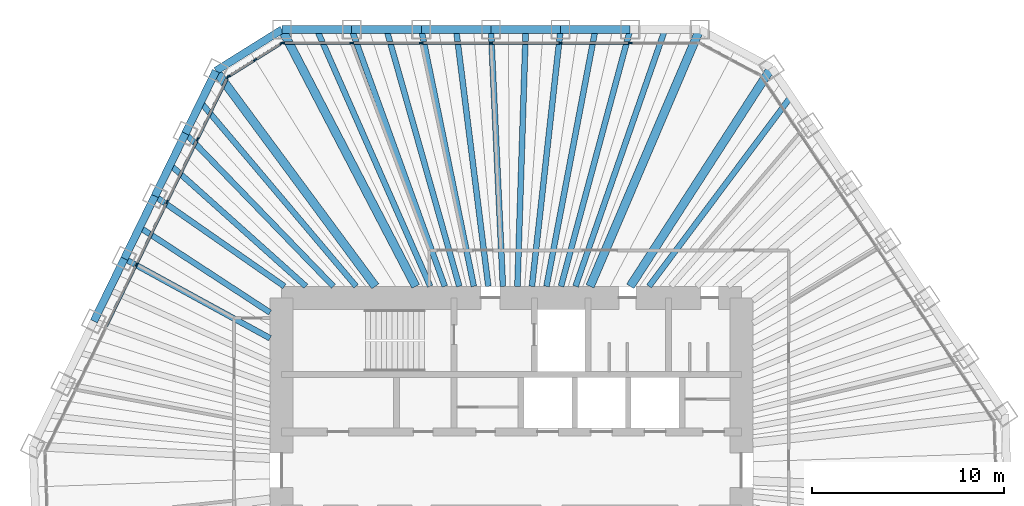
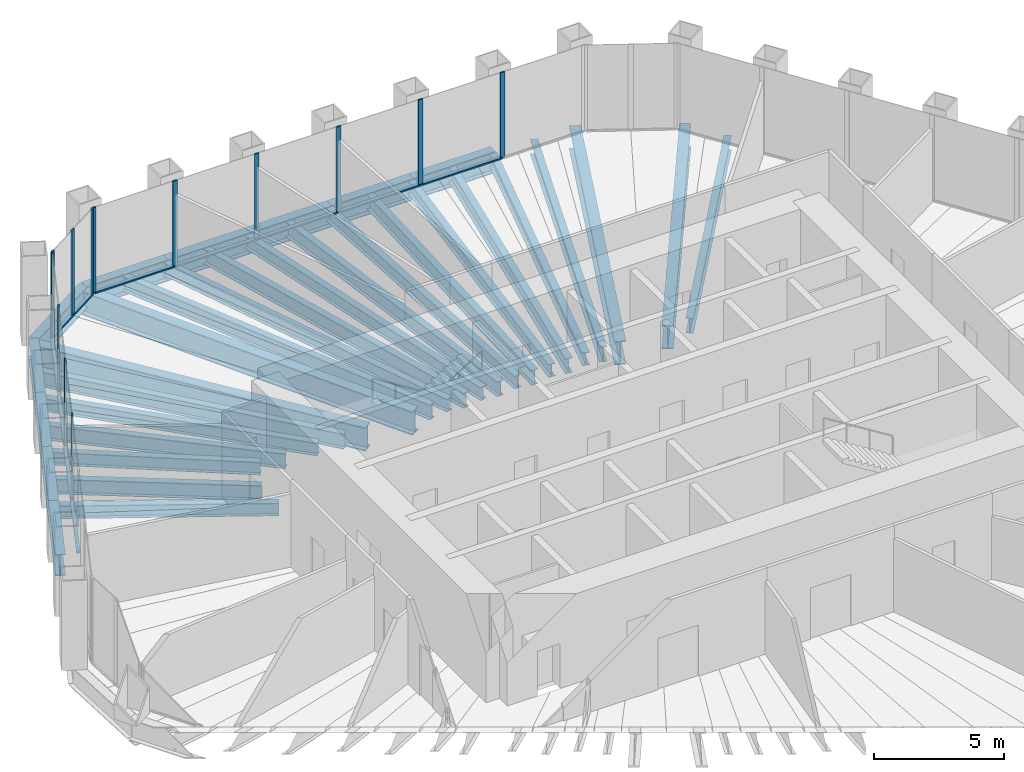
# One storey, part 6 of 14: 32 beams, 24 members, 3 elements without a shape of their own.
"""IFC4 building model written with IfcOpenShell, lengths in metres."""

from ifc_helpers import new_model, si_unit, direction, frame, origin, origin_2d, place, context, subcontext, project, spatial, rectangle, i_section, extrude, material, material_profile, profile_set, type_object, element, aggregate, save


model = new_model("IFC4")

# Units and contexts
model_context = context("Model", 3, precision=1e-05, world=origin(), true_north=direction((0.0, 1.0)))
body_context = subcontext(model_context, "Body", "Model", "MODEL_VIEW")
ifc_project = project(units=[si_unit("LENGTHUNIT", "METRE"), si_unit("AREAUNIT", "SQUARE_METRE"), si_unit("VOLUMEUNIT", "CUBIC_METRE"), si_unit("PLANEANGLEUNIT", "RADIAN"), si_unit("MASSUNIT", "GRAM", prefix="KILO")], contexts=[model_context])

# Site, building, storey
site_placement = place(None, origin())
site = spatial("IfcSite", under=ifc_project, at=site_placement, CompositionType="ELEMENT")
building_placement = place(site_placement, origin())
building = spatial("IfcBuilding", under=site, at=building_placement, Name="Qingtian Harvest Tower", CompositionType="ELEMENT")
storey_placement = place(building_placement, frame((0.0, 0.0, 235.0)))
storey = spatial("IfcBuildingStorey", under=building, at=storey_placement, Name="L51", CompositionType="ELEMENT", Elevation=235.0)

# Beams
ifc_material_1 = material(Name="Steel SM570MC", Category="steel")
ifc_material_profile_1 = material_profile(ifc_material_1, i_section(OverallWidth=0.449951171875, OverallDepth=1.10009765625, WebThickness=0.02197265625, FlangeThickness=0.044921875, at=origin_2d()), Name="H1100x450x22x45")
ifc_profile_set_1 = profile_set([ifc_material_profile_1], Name="Steel SM570MC")
beam_type_1 = type_object("IfcBeamType", Name="Corner floor beam FB8 H1100x450x22x45", PredefinedType="BEAM", material=ifc_profile_set_1)
beam_1_placement = place(storey_placement, frame((-11.971923828125, 23.0, -0.719970703125), z_axis=(0.461712460868, -0.887029651973, 0.0), x_axis=(0.887029651973, 0.461712460868, 0.0)))
element("IfcBeam", 1, at=beam_1_placement, inside=storey, type_object=beam_type_1, Name="Floor beam FB8 N0", PredefinedType="BEAM", context=body_context, shape_type="SweptSolid", body=[
    extrude(i_section(OverallWidth=0.449951171875, OverallDepth=1.10009765625, WebThickness=0.02197265625, FlangeThickness=0.044921875, at=origin_2d()), origin(), (0.0, 0.0, 1.0), 15.1064453125),
])
beam_2_placement = place(storey_placement, frame((9.829345703125, 23.0, -0.719970703125), z_axis=(-0.392976835482, -0.91954837109, 0.0), x_axis=(0.91954837109, -0.392976835482, 0.0)))
element("IfcBeam", 2, at=beam_2_placement, inside=storey, type_object=beam_type_1, Name="Floor beam FB8 N6", PredefinedType="BEAM", context=body_context, shape_type="SweptSolid", body=[
    extrude(i_section(OverallWidth=0.449951171875, OverallDepth=1.10009765625, WebThickness=0.02197265625, FlangeThickness=0.044921875, at=origin_2d()), origin(), (0.0, 0.0, 1.0), 14.572265625),
])
beam_3_placement = place(storey_placement, frame((13.5712890625, 21.01025390625, -0.719970703125), z_axis=(-0.542593072822, -0.839995688873, 0.0), x_axis=(0.839995688873, -0.542593072822, 0.0)))
element("IfcBeam", 3, at=beam_3_placement, inside=storey, type_object=beam_type_1, Name="Floor beam FB8 NE0", PredefinedType="BEAM", context=body_context, shape_type="SweptSolid", body=[
    extrude(i_section(OverallWidth=0.449951171875, OverallDepth=1.10009765625, WebThickness=0.02197265625, FlangeThickness=0.044921875, at=origin_2d()), origin(), (0.0, 0.0, 1.0), 13.58349609375),
])
beam_4_placement = place(storey_placement, frame((-15.424072265625, 20.8427734375, -0.719970703125), z_axis=(0.594854284538, -0.803833552526, 0.0), x_axis=(0.803833552526, 0.594854284538, 0.0)))
element("IfcBeam", 4, at=beam_4_placement, inside=storey, type_object=beam_type_1, Name="Floor beam FB8 NW6", PredefinedType="BEAM", context=body_context, shape_type="SweptSolid", body=[
    extrude(i_section(OverallWidth=0.449951171875, OverallDepth=1.10009765625, WebThickness=0.02197265625, FlangeThickness=0.044921875, at=origin_2d()), origin(), (0.0, 0.0, 1.0), 13.986328125),
])
ifc_material_2 = material(Name="Steel SN490B", Category="steel")
ifc_material_profile_2 = material_profile(ifc_material_2, i_section(OverallWidth=0.300048828125, OverallDepth=0.60009765625, WebThickness=0.011962890625, FlangeThickness=0.02001953125, at=origin_2d()), Name="H600x300x12x20")
ifc_profile_set_2 = profile_set([ifc_material_profile_2], Name="Steel SN490B")
beam_type_2 = type_object("IfcBeamType", Name="Floor beam FB3 H600x300x12x20", PredefinedType="BEAM", material=ifc_profile_set_2)
beam_5_placement = place(storey_placement, frame((-8.33837890625, 23.0, -0.469970703125), z_axis=(0.340826952705, -0.94012604916, 0.0), x_axis=(0.94012604916, 0.340826952705, 0.0)))
element("IfcBeam", 5, at=beam_5_placement, inside=storey, type_object=beam_type_2, Name="Floor beam FB3 N1", PredefinedType="BEAM", context=body_context, shape_type="SweptSolid", body=[
    extrude(i_section(OverallWidth=0.300048828125, OverallDepth=0.60009765625, WebThickness=0.011962890625, FlangeThickness=0.02001953125, at=origin_2d()), origin(), (0.0, 0.0, 1.0), 14.25341796875),
])
beam_6_placement = place(storey_placement, frame((-4.704833984375, 23.0, -0.469970703125), z_axis=(0.200401687601, -0.979713817197, 0.0), x_axis=(0.979713817197, 0.200401687601, 0.0)))
element("IfcBeam", 6, at=beam_6_placement, inside=storey, type_object=beam_type_2, Name="Floor beam FB3 N2", PredefinedType="BEAM", context=body_context, shape_type="SweptSolid", body=[
    extrude(i_section(OverallWidth=0.300048828125, OverallDepth=0.60009765625, WebThickness=0.011962890625, FlangeThickness=0.02001953125, at=origin_2d()), origin(), (0.0, 0.0, 1.0), 13.67724609375),
])
beam_7_placement = place(storey_placement, frame((-1.0712890625, 23.0, -0.469970703125), z_axis=(0.04651883736, -0.998917412888, 0.0), x_axis=(0.998917412888, 0.04651883736, 0.0)))
element("IfcBeam", 7, at=beam_7_placement, inside=storey, type_object=beam_type_2, Name="Floor beam FB3 N3", PredefinedType="BEAM", context=body_context, shape_type="SweptSolid", body=[
    extrude(i_section(OverallWidth=0.300048828125, OverallDepth=0.60009765625, WebThickness=0.011962890625, FlangeThickness=0.02001953125, at=origin_2d()), origin(), (0.0, 0.0, 1.0), 13.414306640625),
])
beam_8_placement = place(storey_placement, frame((2.562255859375, 23.0, -0.469970703125), z_axis=(-0.110727645803, -0.993850787822, 0.0), x_axis=(0.993850787822, -0.110727645803, 0.0)))
element("IfcBeam", 8, at=beam_8_placement, inside=storey, type_object=beam_type_2, Name="Floor beam FB3 N4", PredefinedType="BEAM", context=body_context, shape_type="SweptSolid", body=[
    extrude(i_section(OverallWidth=0.300048828125, OverallDepth=0.60009765625, WebThickness=0.011962890625, FlangeThickness=0.02001953125, at=origin_2d()), origin(), (0.0, 0.0, 1.0), 13.48291015625),
])
beam_9_placement = place(storey_placement, frame((6.19580078125, 23.0, -0.469970703125), z_axis=(-0.260121100906, -0.965576000563, 0.0), x_axis=(0.965576000563, -0.260121100906, 0.0)))
element("IfcBeam", 9, at=beam_9_placement, inside=storey, type_object=beam_type_2, Name="Floor beam FB3 N5", PredefinedType="BEAM", context=body_context, shape_type="SweptSolid", body=[
    extrude(i_section(OverallWidth=0.300048828125, OverallDepth=0.60009765625, WebThickness=0.011962890625, FlangeThickness=0.02001953125, at=origin_2d()), origin(), (0.0, 0.0, 1.0), 13.877685546875),
])
beam_10_placement = place(storey_placement, frame((-20.20263671875, 11.04541015625, -0.469970703125), z_axis=(0.87742673539, -0.479710666988, 0.0), x_axis=(0.479710666988, 0.87742673539, 0.0)))
element("IfcBeam", 10, at=beam_10_placement, inside=storey, type_object=beam_type_2, Name="Floor beam FB3 NW3", PredefinedType="BEAM", context=body_context, shape_type="SweptSolid", body=[
    extrude(i_section(OverallWidth=0.300048828125, OverallDepth=0.60009765625, WebThickness=0.011962890625, FlangeThickness=0.02001953125, at=origin_2d()), origin(), (0.0, 0.0, 1.0), 8.66455078125),
])
beam_11_placement = place(storey_placement, frame((-18.60986328125, 14.311279296875, -0.469970703125), z_axis=(0.820407854234, -0.571778762032, 0.0), x_axis=(0.571778762032, 0.820407854234, 0.0)))
element("IfcBeam", 11, at=beam_11_placement, inside=storey, type_object=beam_type_2, Name="Floor beam FB3 NW4", PredefinedType="BEAM", context=body_context, shape_type="SweptSolid", body=[
    extrude(i_section(OverallWidth=0.300048828125, OverallDepth=0.60009765625, WebThickness=0.011962890625, FlangeThickness=0.02001953125, at=origin_2d()), origin(), (0.0, 0.0, 1.0), 8.239501953125),
])
beam_12_placement = place(storey_placement, frame((-17.016845703125, 17.5771484375, -0.469970703125), z_axis=(0.695569024353, -0.718459276759, 0.0), x_axis=(0.718459276759, 0.695569024353, 0.0)))
element("IfcBeam", 12, at=beam_12_placement, inside=storey, type_object=beam_type_2, Name="Floor beam FB3 NW5", PredefinedType="BEAM", context=body_context, shape_type="SweptSolid", body=[
    extrude(i_section(OverallWidth=0.300048828125, OverallDepth=0.60009765625, WebThickness=0.011962890625, FlangeThickness=0.02001953125, at=origin_2d()), origin(), (0.0, 0.0, 1.0), 11.10302734375),
])
ifc_material_3 = material(Name="Steel SN490B", Category="steel")
ifc_material_profile_3 = material_profile(ifc_material_3, i_section(OverallWidth=0.300048828125, OverallDepth=0.699951171875, WebThickness=0.012939453125, FlangeThickness=0.02392578125, at=origin_2d()), Name="H700x300x13x24")
ifc_profile_set_3 = profile_set([ifc_material_profile_3], Name="Steel SN490B")
beam_type_3 = type_object("IfcBeamType", Name="Floor joist J2 H700x300x13x24", PredefinedType="JOIST", material=ifc_profile_set_3)
beam_13_placement = place(storey_placement, frame((-10.1552734375, 23.0, -0.52001953125), z_axis=(0.40391347792, -0.914797191925, 0.0), x_axis=(0.914797191925, 0.40391347792, 0.0)))
element("IfcBeam", 13, at=beam_13_placement, inside=storey, type_object=beam_type_3, Name="Floor joist J2 N0", PredefinedType="JOIST", context=body_context, shape_type="SweptSolid", body=[
    extrude(i_section(OverallWidth=0.300048828125, OverallDepth=0.699951171875, WebThickness=0.012939453125, FlangeThickness=0.02392578125, at=origin_2d()), origin(), (0.0, 0.0, 1.0), 14.64794921875),
])
beam_14_placement = place(storey_placement, frame((-6.521728515625, 23.0, -0.52001953125), z_axis=(0.272796737564, -0.962071691702, 0.0), x_axis=(0.962071691702, 0.272796737564, 0.0)))
element("IfcBeam", 14, at=beam_14_placement, inside=storey, type_object=beam_type_3, Name="Floor joist J2 N1", PredefinedType="JOIST", context=body_context, shape_type="SweptSolid", body=[
    extrude(i_section(OverallWidth=0.300048828125, OverallDepth=0.699951171875, WebThickness=0.012939453125, FlangeThickness=0.02392578125, at=origin_2d()), origin(), (0.0, 0.0, 1.0), 13.92822265625),
])
beam_15_placement = place(storey_placement, frame((-2.88818359375, 23.0, -0.52001953125), z_axis=(0.124590949529, -0.992208191508, 0.0), x_axis=(0.992208191508, 0.124590949529, 0.0)))
element("IfcBeam", 15, at=beam_15_placement, inside=storey, type_object=beam_type_3, Name="Floor joist J2 N2", PredefinedType="JOIST", context=body_context, shape_type="SweptSolid", body=[
    extrude(i_section(OverallWidth=0.300048828125, OverallDepth=0.699951171875, WebThickness=0.012939453125, FlangeThickness=0.02392578125, at=origin_2d()), origin(), (0.0, 0.0, 1.0), 13.505126953125),
])
beam_16_placement = place(storey_placement, frame((0.745361328125, 23.0, -0.52001953125), z_axis=(-0.032395624487, -0.99947512401, 0.0), x_axis=(0.99947512401, -0.032395624487, 0.0)))
element("IfcBeam", 16, at=beam_16_placement, inside=storey, type_object=beam_type_3, Name="Floor joist J2 N3", PredefinedType="JOIST", context=body_context, shape_type="SweptSolid", body=[
    extrude(i_section(OverallWidth=0.300048828125, OverallDepth=0.699951171875, WebThickness=0.012939453125, FlangeThickness=0.02392578125, at=origin_2d()), origin(), (0.0, 0.0, 1.0), 13.406982421875),
])
beam_17_placement = place(storey_placement, frame((4.37890625, 23.0, -0.52001953125), z_axis=(-0.187034797062, -0.982353289142, 0.0), x_axis=(0.982353289142, -0.187034797062, 0.0)))
element("IfcBeam", 17, at=beam_17_placement, inside=storey, type_object=beam_type_3, Name="Floor joist J2 N4", PredefinedType="JOIST", context=body_context, shape_type="SweptSolid", body=[
    extrude(i_section(OverallWidth=0.300048828125, OverallDepth=0.699951171875, WebThickness=0.012939453125, FlangeThickness=0.02392578125, at=origin_2d()), origin(), (0.0, 0.0, 1.0), 13.640625),
])
beam_18_placement = place(storey_placement, frame((8.012451171875, 23.0, -0.52001953125), z_axis=(-0.328969033283, -0.944340709247, 0.0), x_axis=(0.944340709247, -0.328969033283, 0.0)))
element("IfcBeam", 18, at=beam_18_placement, inside=storey, type_object=beam_type_3, Name="Floor joist J2 N5", PredefinedType="JOIST", context=body_context, shape_type="SweptSolid", body=[
    extrude(i_section(OverallWidth=0.300048828125, OverallDepth=0.699951171875, WebThickness=0.012939453125, FlangeThickness=0.02392578125, at=origin_2d()), origin(), (0.0, 0.0, 1.0), 14.189697265625),
])
beam_19_placement = place(storey_placement, frame((14.58740234375, 19.504150390625, -0.52001953125), z_axis=(-0.598935081494, -0.800797582511, 0.0), x_axis=(0.800797582511, -0.598935081494, 0.0)))
element("IfcBeam", 19, at=beam_19_placement, inside=storey, type_object=beam_type_3, Name="Floor joist J2 NE0", PredefinedType="JOIST", context=body_context, shape_type="SweptSolid", body=[
    extrude(i_section(OverallWidth=0.300048828125, OverallDepth=0.699951171875, WebThickness=0.012939453125, FlangeThickness=0.02392578125, at=origin_2d()), origin(), (0.0, 0.0, 1.0), 12.36767578125),
])
beam_20_placement = place(storey_placement, frame((-19.40625, 12.678466796875, -0.52001953125), z_axis=(0.837161066611, -0.546956441182, 0.0), x_axis=(0.546956441182, 0.837161066611, 0.0)))
element("IfcBeam", 20, at=beam_20_placement, inside=storey, type_object=beam_type_3, Name="Floor joist J2 NW3", PredefinedType="JOIST", context=body_context, shape_type="SweptSolid", body=[
    extrude(i_section(OverallWidth=0.300048828125, OverallDepth=0.699951171875, WebThickness=0.012939453125, FlangeThickness=0.02392578125, at=origin_2d()), origin(), (0.0, 0.0, 1.0), 8.130126953125),
])
beam_21_placement = place(storey_placement, frame((-17.813232421875, 15.944091796875, -0.52001953125), z_axis=(0.745126517589, -0.66692313859, 0.0), x_axis=(0.66692313859, 0.745126517589, 0.0)))
element("IfcBeam", 21, at=beam_21_placement, inside=storey, type_object=beam_type_3, Name="Floor joist J2 NW4", PredefinedType="JOIST", context=body_context, shape_type="SweptSolid", body=[
    extrude(i_section(OverallWidth=0.300048828125, OverallDepth=0.699951171875, WebThickness=0.012939453125, FlangeThickness=0.02392578125, at=origin_2d()), origin(), (0.0, 0.0, 1.0), 9.512451171875),
])
beam_22_placement = place(storey_placement, frame((-16.220458984375, 19.2099609375, -0.52001953125), z_axis=(0.645157903911, -0.764049264787, 0.0), x_axis=(0.764049264787, 0.645157903911, 0.0)))
element("IfcBeam", 22, at=beam_22_placement, inside=storey, type_object=beam_type_3, Name="Floor joist J2 NW5", PredefinedType="JOIST", context=body_context, shape_type="SweptSolid", body=[
    extrude(i_section(OverallWidth=0.300048828125, OverallDepth=0.699951171875, WebThickness=0.012939453125, FlangeThickness=0.02392578125, at=origin_2d()), origin(), (0.0, 0.0, 1.0), 12.57763671875),
])

# Curtain wall, members
ifc_material_4 = material(Name="Bronze-anodised aluminium curtain wall", Category="aluminium")
curtain_wall_type = type_object("IfcCurtainWallType", Name="Curtain wall CW4 office", PredefinedType="USERDEFINED", material=ifc_material_4)
curtain_wall_1_placement = place(storey_placement, origin())
curtain_wall_1 = element("IfcCurtainWall", 23, at=curtain_wall_1_placement, inside=storey, type_object=curtain_wall_type, Name="Curtain wall CW4 L51 N0-5", ObjectType="RECESSED CURTAIN WALL", PredefinedType="USERDEFINED")
ifc_material_5 = material(Name="Bronze-anodised aluminium mullion", Category="aluminium")
ifc_material_profile_4 = material_profile(ifc_material_5, rectangle(XDim=0.06494140625, YDim=0.199951171875, at=origin_2d()), Name="AL 65x200")
ifc_profile_set_4 = profile_set([ifc_material_profile_4], Name="Bronze-anodised aluminium mullion")
member_type_1 = type_object("IfcMemberType", Name="Mullion CWM 65x200", PredefinedType="MULLION", material=ifc_profile_set_4)
member_1_placement = place(storey_placement, frame((-11.939453125, 22.300048828125, 0.0), z_axis=(0.0, 0.0, 1.0), x_axis=(0.0, 1.0, 0.0)))
member_1 = element("IfcMember", 24, at=member_1_placement, type_object=member_type_1, Name="CW4 mullion 1", PredefinedType="MULLION", context=body_context, shape_type="SweptSolid", body=[
    extrude(rectangle(XDim=0.06494140625, YDim=0.199951171875, at=origin_2d()), origin(), (0.0, 0.0, 1.0), 4.030029296875),
])
member_2_placement = place(storey_placement, frame((-8.33837890625, 22.300048828125, 0.0), z_axis=(0.0, 0.0, 1.0), x_axis=(0.0, 1.0, 0.0)))
member_2 = element("IfcMember", 25, at=member_2_placement, type_object=member_type_1, Name="CW4 mullion 2", PredefinedType="MULLION", context=body_context, shape_type="SweptSolid", body=[
    extrude(rectangle(XDim=0.06494140625, YDim=0.199951171875, at=origin_2d()), origin(), (0.0, 0.0, 1.0), 4.030029296875),
])
member_3_placement = place(storey_placement, frame((-4.704833984375, 22.300048828125, 0.0), z_axis=(0.0, 0.0, 1.0), x_axis=(0.0, 1.0, 0.0)))
member_3 = element("IfcMember", 26, at=member_3_placement, type_object=member_type_1, Name="CW4 mullion 3", PredefinedType="MULLION", context=body_context, shape_type="SweptSolid", body=[
    extrude(rectangle(XDim=0.06494140625, YDim=0.199951171875, at=origin_2d()), origin(), (0.0, 0.0, 1.0), 4.030029296875),
])
member_4_placement = place(storey_placement, frame((-1.0712890625, 22.300048828125, 0.0), z_axis=(0.0, 0.0, 1.0), x_axis=(0.0, 1.0, 0.0)))
member_4 = element("IfcMember", 27, at=member_4_placement, type_object=member_type_1, Name="CW4 mullion 4", PredefinedType="MULLION", context=body_context, shape_type="SweptSolid", body=[
    extrude(rectangle(XDim=0.06494140625, YDim=0.199951171875, at=origin_2d()), origin(), (0.0, 0.0, 1.0), 4.030029296875),
])
member_5_placement = place(storey_placement, frame((2.562255859375, 22.300048828125, 0.0), z_axis=(0.0, 0.0, 1.0), x_axis=(0.0, 1.0, 0.0)))
member_5 = element("IfcMember", 28, at=member_5_placement, type_object=member_type_1, Name="CW4 mullion 5", PredefinedType="MULLION", context=body_context, shape_type="SweptSolid", body=[
    extrude(rectangle(XDim=0.06494140625, YDim=0.199951171875, at=origin_2d()), origin(), (0.0, 0.0, 1.0), 4.030029296875),
])
member_6_placement = place(storey_placement, frame((6.19580078125, 22.300048828125, 0.0), z_axis=(0.0, 0.0, 1.0), x_axis=(0.0, 1.0, 0.0)))
member_6 = element("IfcMember", 29, at=member_6_placement, type_object=member_type_1, Name="CW4 mullion 6", PredefinedType="MULLION", context=body_context, shape_type="SweptSolid", body=[
    extrude(rectangle(XDim=0.06494140625, YDim=0.199951171875, at=origin_2d()), origin(), (0.0, 0.0, 1.0), 4.030029296875),
])

curtain_wall_2_placement = place(storey_placement, origin())
curtain_wall_2 = element("IfcCurtainWall", 30, at=curtain_wall_2_placement, inside=storey, type_object=curtain_wall_type, Name="Curtain wall CW4 L51 NW0-5", ObjectType="RECESSED CURTAIN WALL", PredefinedType="USERDEFINED")
member_7_placement = place(storey_placement, frame((-19.573486328125, 10.738525390625, 0.0), z_axis=(0.0, 0.0, 1.0), x_axis=(-0.898794046299, 0.438371146789, 0.0)))
member_7 = element("IfcMember", 31, at=member_7_placement, type_object=member_type_1, Name="CW4 mullion 4", PredefinedType="MULLION", context=body_context, shape_type="SweptSolid", body=[
    extrude(rectangle(XDim=0.06494140625, YDim=0.199951171875, at=origin_2d()), origin(), (0.0, 0.0, 1.0), 4.030029296875),
])
member_8_placement = place(storey_placement, frame((-17.980712890625, 14.00439453125, 0.0), z_axis=(0.0, 0.0, 1.0), x_axis=(-0.898794046299, 0.438371146789, 0.0)))
member_8 = element("IfcMember", 32, at=member_8_placement, type_object=member_type_1, Name="CW4 mullion 5", PredefinedType="MULLION", context=body_context, shape_type="SweptSolid", body=[
    extrude(rectangle(XDim=0.06494140625, YDim=0.199951171875, at=origin_2d()), origin(), (0.0, 0.0, 1.0), 4.030029296875),
])
member_9_placement = place(storey_placement, frame((-16.3876953125, 17.270263671875, 0.0), z_axis=(0.0, 0.0, 1.0), x_axis=(-0.898794046299, 0.438371146789, 0.0)))
member_9 = element("IfcMember", 33, at=member_9_placement, type_object=member_type_1, Name="CW4 mullion 6", PredefinedType="MULLION", context=body_context, shape_type="SweptSolid", body=[
    extrude(rectangle(XDim=0.06494140625, YDim=0.199951171875, at=origin_2d()), origin(), (0.0, 0.0, 1.0), 4.030029296875),
])
member_10_placement = place(storey_placement, frame((-14.80908203125, 20.5068359375, 0.0), z_axis=(0.0, 0.0, 1.0), x_axis=(-0.898794046299, 0.438371146789, 0.0)))
member_10 = element("IfcMember", 34, at=member_10_placement, type_object=member_type_1, Name="CW4 mullion 7", PredefinedType="MULLION", context=body_context, shape_type="SweptSolid", body=[
    extrude(rectangle(XDim=0.06494140625, YDim=0.199951171875, at=origin_2d()), origin(), (0.0, 0.0, 1.0), 4.030029296875),
])

curtain_wall_3_placement = place(storey_placement, origin())
curtain_wall_3 = element("IfcCurtainWall", 35, at=curtain_wall_3_placement, inside=storey, type_object=curtain_wall_type, Name="Curtain wall CW4 L51 NWC", ObjectType="RECESSED CURTAIN WALL", PredefinedType="USERDEFINED")
member_11_placement = place(storey_placement, frame((-14.767333984375, 20.55322265625, 0.0), z_axis=(0.0, 0.0, 1.0), x_axis=(-0.529919264233, 0.848048096156, 0.0)))
member_11 = element("IfcMember", 36, at=member_11_placement, type_object=member_type_1, Name="CW4 mullion 1", PredefinedType="MULLION", context=body_context, shape_type="SweptSolid", body=[
    extrude(rectangle(XDim=0.06494140625, YDim=0.199951171875, at=origin_2d()), origin(), (0.0, 0.0, 1.0), 4.030029296875),
])
member_12_placement = place(storey_placement, frame((-13.383544921875, 21.41796875, 0.0), z_axis=(0.0, 0.0, 1.0), x_axis=(-0.529919264233, 0.848048096156, 0.0)))
member_12 = element("IfcMember", 37, at=member_12_placement, type_object=member_type_1, Name="CW4 mullion 2", PredefinedType="MULLION", context=body_context, shape_type="SweptSolid", body=[
    extrude(rectangle(XDim=0.06494140625, YDim=0.199951171875, at=origin_2d()), origin(), (0.0, 0.0, 1.0), 4.030029296875),
])
member_13_placement = place(storey_placement, frame((-11.99951171875, 22.28271484375, 0.0), z_axis=(0.0, 0.0, 1.0), x_axis=(-0.529919264233, 0.848048096156, 0.0)))
member_13 = element("IfcMember", 38, at=member_13_placement, type_object=member_type_1, Name="CW4 mullion 3", PredefinedType="MULLION", context=body_context, shape_type="SweptSolid", body=[
    extrude(rectangle(XDim=0.06494140625, YDim=0.199951171875, at=origin_2d()), origin(), (0.0, 0.0, 1.0), 4.030029296875),
])

# Beams
ifc_material_6 = material(Name="Steel SN490B", Category="steel")
ifc_material_profile_5 = material_profile(ifc_material_6, i_section(OverallWidth=0.39990234375, OverallDepth=1.0, WebThickness=0.01904296875, FlangeThickness=0.035888671875, at=origin_2d()), Name="H1000x400x19x36")
ifc_profile_set_5 = profile_set([ifc_material_profile_5], Name="Steel SN490B")
beam_type_4 = type_object("IfcBeamType", Name="Spandrel beam SB3 H1000x400x19x36", PredefinedType="SPANDREL", material=ifc_profile_set_5)
for number, where, z_axis, x_axis, name in (
    (39, (-11.971923828125, 23.0, -0.5), (1.0, 0.0, 0.0), (0.0, 1.0, 0.0), "Spandrel SB3 N0"),
    (40, (-8.33837890625, 23.0, -0.5), (1.0, 0.0, 0.0), (0.0, 1.0, 0.0), "Spandrel SB3 N1"),
    (41, (-4.704833984375, 23.0, -0.5), (1.0, 0.0, 0.0), (0.0, 1.0, 0.0), "Spandrel SB3 N2"),
    (42, (-1.0712890625, 23.0, -0.5), (1.0, 0.0, 0.0), (0.0, 1.0, 0.0), "Spandrel SB3 N3"),
    (43, (2.562255859375, 23.0, -0.5), (1.0, 0.0, 0.0), (0.0, 1.0, 0.0), "Spandrel SB3 N4"),
    (44, (-21.79541015625, 7.779541015625, -0.5), (0.438349498419, 0.898804604592, 0.0), (-0.898804604592, 0.438349498419, 0.0), "Spandrel SB3 NW2"),
    (45, (-20.20263671875, 11.04541015625, -0.5), (0.438349498419, 0.898804604592, 0.0), (-0.898804604592, 0.438349498419, 0.0), "Spandrel SB3 NW3"),
):
    element("IfcBeam", number, at=place(storey_placement, frame(where, z_axis=z_axis, x_axis=x_axis)), inside=storey, type_object=beam_type_4, Name=name, PredefinedType="SPANDREL", context=body_context, shape_type="SweptSolid", body=[
        extrude(i_section(OverallWidth=0.39990234375, OverallDepth=1.0, WebThickness=0.01904296875, FlangeThickness=0.035888671875, at=origin_2d()), origin(), (0.0, 0.0, 1.0), 3.633544921875),
    ])
beam_23_placement = place(storey_placement, frame((-18.60986328125, 14.311279296875, -0.5), z_axis=(0.438403775684, 0.898778131391, 0.0), x_axis=(-0.898778131391, 0.438403775684, 0.0)))
element("IfcBeam", 46, at=beam_23_placement, inside=storey, type_object=beam_type_4, Name="Spandrel SB3 NW4", PredefinedType="SPANDREL", context=body_context, shape_type="SweptSolid", body=[
    extrude(i_section(OverallWidth=0.39990234375, OverallDepth=1.0, WebThickness=0.01904296875, FlangeThickness=0.035888671875, at=origin_2d()), origin(), (0.0, 0.0, 1.0), 3.6337890625),
])
beam_24_placement = place(storey_placement, frame((-17.016845703125, 17.5771484375, -0.5), z_axis=(0.43837597217, 0.898791692788, 0.0), x_axis=(-0.898791692788, 0.43837597217, 0.0)))
element("IfcBeam", 47, at=beam_24_placement, inside=storey, type_object=beam_type_4, Name="Spandrel SB3 NW5", PredefinedType="SPANDREL", context=body_context, shape_type="SweptSolid", body=[
    extrude(i_section(OverallWidth=0.39990234375, OverallDepth=1.0, WebThickness=0.01904296875, FlangeThickness=0.035888671875, at=origin_2d()), origin(), (0.0, 0.0, 1.0), 3.63330078125),
])
beam_25_placement = place(storey_placement, frame((-15.424072265625, 20.8427734375, -0.5), z_axis=(0.848038733752, 0.529934246919, 0.0), x_axis=(-0.529934246919, 0.848038733752, 0.0)))
element("IfcBeam", 48, at=beam_25_placement, inside=storey, type_object=beam_type_4, Name="Spandrel SB3 NWC", PredefinedType="SPANDREL", context=body_context, shape_type="SweptSolid", body=[
    extrude(i_section(OverallWidth=0.39990234375, OverallDepth=1.0, WebThickness=0.01904296875, FlangeThickness=0.035888671875, at=origin_2d()), origin(), (0.0, 0.0, 1.0), 4.07080078125),
])

# Member
ifc_material_7 = material(Name="Bronze-anodised aluminium transom", Category="aluminium")
ifc_material_profile_6 = material_profile(ifc_material_7, rectangle(XDim=0.14990234375, YDim=0.06494140625, at=origin_2d()), Name="AL 65x150")
ifc_profile_set_6 = profile_set([ifc_material_profile_6], Name="Bronze-anodised aluminium transom")
member_type_2 = type_object("IfcMemberType", Name="Transom CWT 65x150", PredefinedType="USERDEFINED", material=ifc_profile_set_6)
member_14_placement = place(storey_placement, frame((-11.906982421875, 22.300048828125, 0.032470703125), z_axis=(1.0, 0.0, 0.0), x_axis=(0.0, 1.0, 0.0)))
member_14 = element("IfcMember", 49, at=member_14_placement, type_object=member_type_2, Name="CW4 transom 1.1", ObjectType="TRANSOM", PredefinedType="USERDEFINED", context=body_context, shape_type="SweptSolid", body=[
    extrude(rectangle(XDim=0.14990234375, YDim=0.06494140625, at=origin_2d()), origin(), (0.0, 0.0, 1.0), 3.5361328125),
])

member_15_placement = place(storey_placement, frame((-8.305908203125, 22.300048828125, 0.032470703125), z_axis=(1.0, 0.0, 0.0), x_axis=(0.0, 1.0, 0.0)))
member_15 = element("IfcMember", 50, at=member_15_placement, type_object=member_type_2, Name="CW4 transom 2.1", ObjectType="TRANSOM", PredefinedType="USERDEFINED", context=body_context, shape_type="SweptSolid", body=[
    extrude(rectangle(XDim=0.14990234375, YDim=0.06494140625, at=origin_2d()), origin(), (0.0, 0.0, 1.0), 3.568603515625),
])

member_16_placement = place(storey_placement, frame((-4.67236328125, 22.300048828125, 0.032470703125), z_axis=(1.0, 0.0, 0.0), x_axis=(0.0, 1.0, 0.0)))
member_16 = element("IfcMember", 51, at=member_16_placement, type_object=member_type_2, Name="CW4 transom 3.1", ObjectType="TRANSOM", PredefinedType="USERDEFINED", context=body_context, shape_type="SweptSolid", body=[
    extrude(rectangle(XDim=0.14990234375, YDim=0.06494140625, at=origin_2d()), origin(), (0.0, 0.0, 1.0), 3.568603515625),
])

member_17_placement = place(storey_placement, frame((-1.038818359375, 22.300048828125, 0.032470703125), z_axis=(1.0, 0.0, 0.0), x_axis=(0.0, 1.0, 0.0)))
member_17 = element("IfcMember", 52, at=member_17_placement, type_object=member_type_2, Name="CW4 transom 4.1", ObjectType="TRANSOM", PredefinedType="USERDEFINED", context=body_context, shape_type="SweptSolid", body=[
    extrude(rectangle(XDim=0.14990234375, YDim=0.06494140625, at=origin_2d()), origin(), (0.0, 0.0, 1.0), 3.568603515625),
])

member_18_placement = place(storey_placement, frame((2.5947265625, 22.300048828125, 0.032470703125), z_axis=(1.0, 0.0, 0.0), x_axis=(0.0, 1.0, 0.0)))
member_18 = element("IfcMember", 53, at=member_18_placement, type_object=member_type_2, Name="CW4 transom 5.1", ObjectType="TRANSOM", PredefinedType="USERDEFINED", context=body_context, shape_type="SweptSolid", body=[
    extrude(rectangle(XDim=0.14990234375, YDim=0.06494140625, at=origin_2d()), origin(), (0.0, 0.0, 1.0), 3.568603515625),
])

aggregate(curtain_wall_1, [member_1, member_2, member_3, member_4, member_5, member_6, member_14, member_15, member_16, member_17, member_18])

member_19_placement = place(storey_placement, frame((-21.152099609375, 7.501953125, 0.032470703125), z_axis=(0.438380500422, 0.898789484167, 0.0), x_axis=(-0.898789484167, 0.438380500422, 0.0)))
member_19 = element("IfcMember", 54, at=member_19_placement, type_object=member_type_2, Name="CW4 transom 3.1", ObjectType="TRANSOM", PredefinedType="USERDEFINED", context=body_context, shape_type="SweptSolid", body=[
    extrude(rectangle(XDim=0.14990234375, YDim=0.06494140625, at=origin_2d()), origin(), (0.0, 0.0, 1.0), 3.568603515625),
])

member_20_placement = place(storey_placement, frame((-19.559326171875, 10.767822265625, 0.032470703125), z_axis=(0.438407456795, 0.898776335818, 0.0), x_axis=(-0.898776335818, 0.438407456795, 0.0)))
member_20 = element("IfcMember", 55, at=member_20_placement, type_object=member_type_2, Name="CW4 transom 4.1", ObjectType="TRANSOM", PredefinedType="USERDEFINED", context=body_context, shape_type="SweptSolid", body=[
    extrude(rectangle(XDim=0.14990234375, YDim=0.06494140625, at=origin_2d()), origin(), (0.0, 0.0, 1.0), 3.568603515625),
])

member_21_placement = place(storey_placement, frame((-17.96630859375, 14.03369140625, 0.032470703125), z_axis=(0.438352188226, 0.898803292761, 0.0), x_axis=(-0.898803292761, 0.438352188226, 0.0)))
member_21 = element("IfcMember", 56, at=member_21_placement, type_object=member_type_2, Name="CW4 transom 5.1", ObjectType="TRANSOM", PredefinedType="USERDEFINED", context=body_context, shape_type="SweptSolid", body=[
    extrude(rectangle(XDim=0.14990234375, YDim=0.06494140625, at=origin_2d()), origin(), (0.0, 0.0, 1.0), 3.568359375),
])

member_22_placement = place(storey_placement, frame((-16.37353515625, 17.29931640625, 0.032470703125), z_axis=(0.438354255898, 0.898802284341, 0.0), x_axis=(-0.898802284341, 0.438354255898, 0.0)))
member_22 = element("IfcMember", 57, at=member_22_placement, type_object=member_type_2, Name="CW4 transom 6.1", ObjectType="TRANSOM", PredefinedType="USERDEFINED", context=body_context, shape_type="SweptSolid", body=[
    extrude(rectangle(XDim=0.14990234375, YDim=0.06494140625, at=origin_2d()), origin(), (0.0, 0.0, 1.0), 3.5361328125),
])

aggregate(curtain_wall_2, [member_7, member_8, member_9, member_10, member_19, member_20, member_21, member_22])

member_23_placement = place(storey_placement, frame((-14.73974609375, 20.570556640625, 0.032470703125), z_axis=(0.848015812303, 0.529970925697, 0.0), x_axis=(-0.529970925697, 0.848015812303, 0.0)))
member_23 = element("IfcMember", 58, at=member_23_placement, type_object=member_type_2, Name="CW4 transom 1.1", ObjectType="TRANSOM", PredefinedType="USERDEFINED", context=body_context, shape_type="SweptSolid", body=[
    extrude(rectangle(XDim=0.14990234375, YDim=0.06494140625, at=origin_2d()), origin(), (0.0, 0.0, 1.0), 1.566650390625),
])

member_24_placement = place(storey_placement, frame((-13.35595703125, 21.435302734375, 0.032470703125), z_axis=(0.848059570903, 0.529900900357, 0.0), x_axis=(-0.529900900357, 0.848059570903, 0.0)))
member_24 = element("IfcMember", 59, at=member_24_placement, type_object=member_type_2, Name="CW4 transom 2.1", ObjectType="TRANSOM", PredefinedType="USERDEFINED", context=body_context, shape_type="SweptSolid", body=[
    extrude(rectangle(XDim=0.14990234375, YDim=0.06494140625, at=origin_2d()), origin(), (0.0, 0.0, 1.0), 1.56689453125),
])

aggregate(curtain_wall_3, [member_11, member_12, member_13, member_23, member_24])

save(model, "model.ifc")
